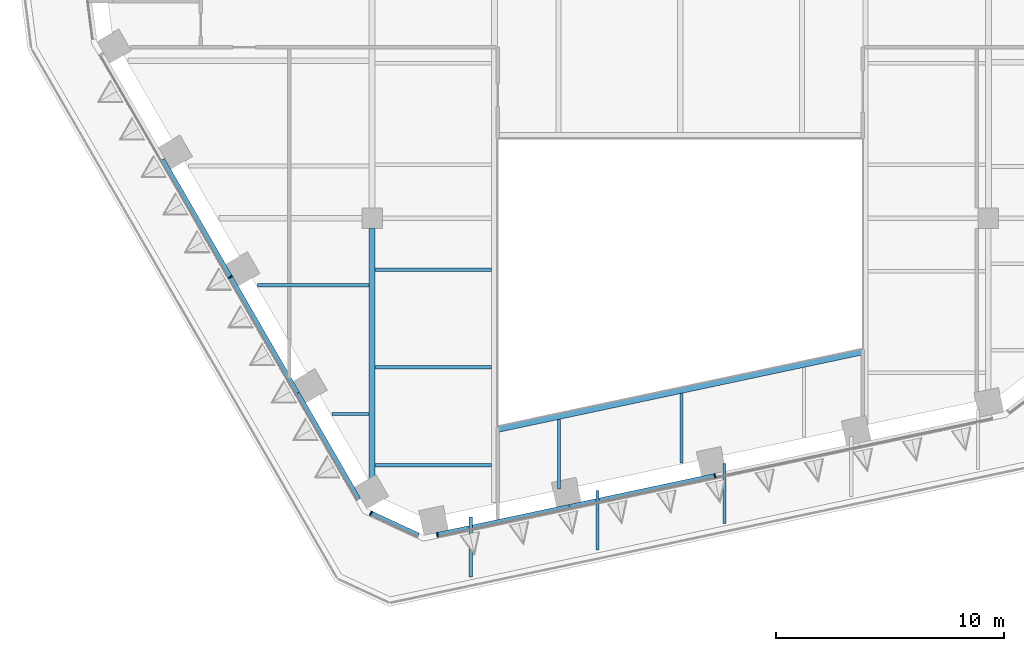
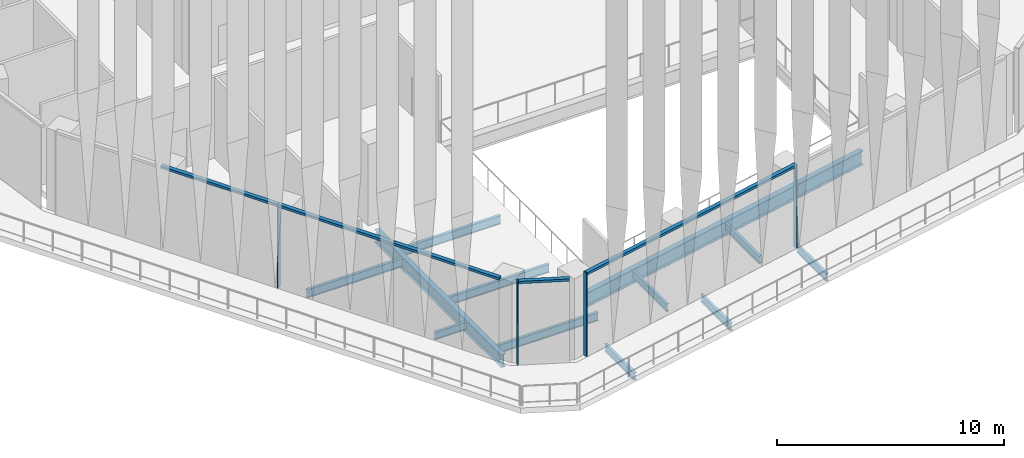
# One storey, part 2 of 21: 12 beams, 10 members, 3 elements without a shape of their own.
"""IFC4 building model written with IfcOpenShell, lengths in metres."""

from ifc_helpers import new_model, si_unit, direction, frame, origin, origin_2d, place, context, subcontext, project, spatial, rectangle, i_section, extrude, material, layer, layer_set, material_profile, profile_set, type_object, element, aggregate, save


model = new_model("IFC4")

# Units and contexts
model_context = context("Model", 3, precision=1e-05, world=origin(), true_north=direction((0.0, 1.0)))
body_context = subcontext(model_context, "Body", "Model", "MODEL_VIEW")
ifc_project = project(units=[si_unit("LENGTHUNIT", "METRE"), si_unit("AREAUNIT", "SQUARE_METRE"), si_unit("VOLUMEUNIT", "CUBIC_METRE"), si_unit("PLANEANGLEUNIT", "RADIAN"), si_unit("MASSUNIT", "GRAM", prefix="KILO")], contexts=[model_context])

# Site, building, storey
site_placement = place(None, origin())
site = spatial("IfcSite", under=ifc_project, at=site_placement, CompositionType="ELEMENT")
building_placement = place(site_placement, origin())
building = spatial("IfcBuilding", under=site, at=building_placement, Name="Isthmus Gate Tower", CompositionType="ELEMENT")
storey_placement = place(building_placement, frame((0.0, 0.0, 211.800048828125)))
storey = spatial("IfcBuildingStorey", under=building, at=storey_placement, Name="L53", CompositionType="ELEMENT", Elevation=211.800048828125)

# Curtain wall, member
ifc_material_1 = material(Name="Aluminium, pale champagne anodised", Category="aluminium")
ifc_layer = layer(ifc_material_1, 0.199951171875)
ifc_layer_set = layer_set([ifc_layer], Name="CW-1 UNITISED CURTAIN WALL 200 DEEP")
curtain_wall_type = type_object("IfcCurtainWallType", Name="CW-1 UNITISED CURTAIN WALL 200 DEEP", PredefinedType="NOTDEFINED", material=ifc_layer_set)
curtain_wall_1_placement = place(storey_placement, origin())
curtain_wall_1 = element("IfcCurtainWall", 1, at=curtain_wall_1_placement, inside=storey, type_object=curtain_wall_type, Name="CW-1 SW L53", PredefinedType="NOTDEFINED")
ifc_material_2 = material(Name="Aluminium, pale champagne anodised", Category="aluminium")
ifc_material_profile_1 = material_profile(ifc_material_2, rectangle(XDim=0.06005859375, YDim=0.199951171875, at=origin_2d()), Name="60x200")
ifc_profile_set_1 = profile_set([ifc_material_profile_1], Name="Aluminium, pale champagne anodised")
member_type_1 = type_object("IfcMemberType", Name="CW-1 MULLION 60 X 200", PredefinedType="MULLION", material=ifc_profile_set_1)
member_1_placement = place(storey_placement, frame((-19.707275390625, -16.066162109375, 0.0), z_axis=(0.0, 0.0, 1.0), x_axis=(0.5, -0.866025403784, 0.0)))
member_1 = element("IfcMember", 2, at=member_1_placement, type_object=member_type_1, Name="CW-1 mullion", PredefinedType="MULLION", context=body_context, shape_type="SweptSolid", body=[
    extrude(rectangle(XDim=0.06005859375, YDim=0.199951171875, at=origin_2d()), origin(), (0.0, 0.0, 1.0), 4.5),
])

curtain_wall_2_placement = place(storey_placement, origin())
curtain_wall_2 = element("IfcCurtainWall", 3, at=curtain_wall_2_placement, inside=storey, type_object=curtain_wall_type, Name="CW-1 SW-S L53", PredefinedType="NOTDEFINED")
member_2_placement = place(storey_placement, frame((-13.54833984375, -26.419677734375, 0.0), z_axis=(0.0, 0.0, 1.0), x_axis=(0.907256261367, -0.420578264073, 0.0)))
member_2 = element("IfcMember", 4, at=member_2_placement, type_object=member_type_1, Name="CW-1 mullion", PredefinedType="MULLION", context=body_context, shape_type="SweptSolid", body=[
    extrude(rectangle(XDim=0.06005859375, YDim=0.199951171875, at=origin_2d()), origin(), (0.0, 0.0, 1.0), 4.5),
])

# Curtain wall, members
curtain_wall_3_placement = place(storey_placement, origin())
curtain_wall_3 = element("IfcCurtainWall", 5, at=curtain_wall_3_placement, inside=storey, type_object=curtain_wall_type, Name="CW-1 S L53", PredefinedType="NOTDEFINED")
member_3_placement = place(storey_placement, frame((-10.6376953125, -27.36328125, 0.0), z_axis=(0.0, 0.0, 1.0), x_axis=(0.978147600734, 0.207911690818, 0.0)))
member_3 = element("IfcMember", 6, at=member_3_placement, type_object=member_type_1, Name="CW-1 mullion", PredefinedType="MULLION", context=body_context, shape_type="SweptSolid", body=[
    extrude(rectangle(XDim=0.06005859375, YDim=0.199951171875, at=origin_2d()), origin(), (0.0, 0.0, 1.0), 4.5),
])
member_4_placement = place(storey_placement, frame((1.5244140625, -24.7783203125, 0.0), z_axis=(0.0, 0.0, 1.0), x_axis=(0.978147600734, 0.207911690818, 0.0)))
member_4 = element("IfcMember", 7, at=member_4_placement, type_object=member_type_1, Name="CW-1 mullion", PredefinedType="MULLION", context=body_context, shape_type="SweptSolid", body=[
    extrude(rectangle(XDim=0.06005859375, YDim=0.199951171875, at=origin_2d()), origin(), (0.0, 0.0, 1.0), 4.5),
])

# Member
ifc_material_3 = material(Name="Aluminium, pale champagne anodised", Category="aluminium")
ifc_material_profile_2 = material_profile(ifc_material_3, rectangle(XDim=0.199951171875, YDim=0.1298828125, at=origin_2d()), Name="200x130")
ifc_profile_set_2 = profile_set([ifc_material_profile_2], Name="Aluminium, pale champagne anodised")
member_type_2 = type_object("IfcMemberType", Name="CW-1 TRANSOM 200 X 130", PredefinedType="USERDEFINED", material=ifc_profile_set_2)
member_5_placement = place(storey_placement, frame((-22.677490234375, -10.92138671875, 4.43505859375), z_axis=(0.500008496284, -0.866020498397, 0.0), x_axis=(0.866020498397, 0.500008496284, 0.0)))
member_5 = element("IfcMember", 8, at=member_5_placement, type_object=member_type_2, Name="CW-1 transom", ObjectType="TRANSOM", PredefinedType="USERDEFINED", context=body_context, shape_type="SweptSolid", body=[
    extrude(rectangle(XDim=0.199951171875, YDim=0.1298828125, at=origin_2d()), origin(), (0.0, 0.0, 1.0), 5.91064453125),
])

member_6_placement = place(storey_placement, frame((-19.692138671875, -16.092041015625, 4.43505859375), z_axis=(0.49998975084, -0.866031321059, 0.0), x_axis=(0.866031321059, 0.49998975084, 0.0)))
member_6 = element("IfcMember", 9, at=member_6_placement, type_object=member_type_2, Name="CW-1 transom", ObjectType="TRANSOM", PredefinedType="USERDEFINED", context=body_context, shape_type="SweptSolid", body=[
    extrude(rectangle(XDim=0.199951171875, YDim=0.1298828125, at=origin_2d()), origin(), (0.0, 0.0, 1.0), 5.8505859375),
])

member_7_placement = place(storey_placement, frame((-16.766845703125, -21.158935546875, 4.43505859375), z_axis=(0.499989227444, -0.866031623233, 0.0), x_axis=(0.866031623233, 0.499989227444, 0.0)))
member_7 = element("IfcMember", 10, at=member_7_placement, type_object=member_type_2, Name="CW-1 transom", ObjectType="TRANSOM", PredefinedType="USERDEFINED", context=body_context, shape_type="SweptSolid", body=[
    extrude(rectangle(XDim=0.199951171875, YDim=0.1298828125, at=origin_2d()), origin(), (0.0, 0.0, 1.0), 5.3603515625),
])

aggregate(curtain_wall_1, [member_5, member_1, member_6, member_7])

member_8_placement = place(storey_placement, frame((-13.521240234375, -26.432373046875, 4.43505859375), z_axis=(0.907246225564, -0.420599912268, 0.0), x_axis=(0.420599912268, 0.907246225564, 0.0)))
member_8 = element("IfcMember", 11, at=member_8_placement, type_object=member_type_2, Name="CW-1 transom", ObjectType="TRANSOM", PredefinedType="USERDEFINED", context=body_context, shape_type="SweptSolid", body=[
    extrude(rectangle(XDim=0.199951171875, YDim=0.1298828125, at=origin_2d()), origin(), (0.0, 0.0, 1.0), 2.258544921875),
])

aggregate(curtain_wall_2, [member_2, member_8])

member_9_placement = place(storey_placement, frame((-10.6083984375, -27.357177734375, 4.43505859375), z_axis=(0.978148511799, 0.207907404549, 0.0), x_axis=(-0.207907404549, 0.978148511799, 0.0)))
member_9 = element("IfcMember", 12, at=member_9_placement, type_object=member_type_2, Name="CW-1 transom", ObjectType="TRANSOM", PredefinedType="USERDEFINED", context=body_context, shape_type="SweptSolid", body=[
    extrude(rectangle(XDim=0.199951171875, YDim=0.1298828125, at=origin_2d()), origin(), (0.0, 0.0, 1.0), 5.8818359375),
])

member_10_placement = place(storey_placement, frame((-4.85498046875, -26.13427734375, 4.43505859375), z_axis=(0.978142886198, 0.207933869729, 0.0), x_axis=(-0.207933869729, 0.978142886198, 0.0)))
member_10 = element("IfcMember", 13, at=member_10_placement, type_object=member_type_2, Name="CW-1 transom", ObjectType="TRANSOM", PredefinedType="USERDEFINED", context=body_context, shape_type="SweptSolid", body=[
    extrude(rectangle(XDim=0.199951171875, YDim=0.1298828125, at=origin_2d()), origin(), (0.0, 0.0, 1.0), 6.49169921875),
])

aggregate(curtain_wall_3, [member_3, member_9, member_10, member_4])

# Beams
ifc_material_4 = material(Name="Structural steel ASTM A992 Gr 50", Category="steel")
ifc_material_profile_3 = material_profile(ifc_material_4, i_section(OverallWidth=0.1396484375, OverallDepth=0.4033203125, WebThickness=0.00634765625, FlangeThickness=0.010986328125, at=origin_2d()), Name="W16X31")
ifc_profile_set_3 = profile_set([ifc_material_profile_3], Name="Structural steel ASTM A992 Gr 50")
beam_type_1 = type_object("IfcBeamType", Name="STEEL FLOOR BEAM W16X31", PredefinedType="JOIST", material=ifc_profile_set_3)
beam_1_placement = place(storey_placement, frame((-15.25146484375, -22.077392578125, -0.501708984375), z_axis=(1.0, 0.0, 0.0), x_axis=(0.0, 1.0, 0.0)))
element("IfcBeam", 14, at=beam_1_placement, inside=storey, type_object=beam_type_1, Name="str-beam-L53-02-00", PredefinedType="JOIST", context=body_context, shape_type="SweptSolid", body=[
    extrude(i_section(OverallWidth=0.1396484375, OverallDepth=0.4033203125, WebThickness=0.00634765625, FlangeThickness=0.010986328125, at=origin_2d()), origin(), (0.0, 0.0, 1.0), 1.62451171875),
])
for number, where, z_axis, x_axis, name in (
    (15, (-5.314208984375, -25.359619140625, -0.501708984375), (0.0, 1.0, 0.0), (-1.0, 0.0, 0.0), "str-beam-L53-06-00"),
    (16, (0.05712890625, -24.2177734375, -0.501708984375), (0.0, 1.0, 0.0), (-1.0, 0.0, 0.0), "str-beam-L53-06-01"),
):
    element("IfcBeam", number, at=place(storey_placement, frame(where, z_axis=z_axis, x_axis=x_axis)), inside=storey, type_object=beam_type_1, Name=name, PredefinedType="JOIST", context=body_context, shape_type="SweptSolid", body=[
        extrude(i_section(OverallWidth=0.1396484375, OverallDepth=0.4033203125, WebThickness=0.00634765625, FlangeThickness=0.010986328125, at=origin_2d()), origin(), (0.0, 0.0, 1.0), 3.046630859375),
    ])
ifc_material_5 = material(Name="Structural steel ASTM A992 Gr 50", Category="steel")
ifc_material_profile_4 = material_profile(ifc_material_5, i_section(OverallWidth=0.15234375, OverallDepth=0.45068359375, WebThickness=0.0078125, FlangeThickness=0.010986328125, at=origin_2d()), Name="W18X35")
ifc_profile_set_4 = profile_set([ifc_material_profile_4], Name="Structural steel ASTM A992 Gr 50")
beam_type_2 = type_object("IfcBeamType", Name="STEEL FLOOR BEAM W18X35", PredefinedType="JOIST", material=ifc_profile_set_4)
beam_2_placement = place(storey_placement, frame((-18.5087890625, -16.435302734375, -0.525390625), z_axis=(1.0, 0.0, 0.0), x_axis=(0.0, 1.0, 0.0)))
element("IfcBeam", 17, at=beam_2_placement, inside=storey, type_object=beam_type_2, Name="str-beam-L53-02-01", PredefinedType="JOIST", context=body_context, shape_type="SweptSolid", body=[
    extrude(i_section(OverallWidth=0.15234375, OverallDepth=0.45068359375, WebThickness=0.0078125, FlangeThickness=0.010986328125, at=origin_2d()), origin(), (0.0, 0.0, 1.0), 4.8818359375),
])
for number, where, z_axis, x_axis, name in (
    (18, (-13.373046875, -24.32177734375, -0.525390625), (1.0, 0.0, 0.0), (0.0, 1.0, 0.0), "str-beam-L53-04-00"),
    (19, (-13.373046875, -20.034912109375, -0.525390625), (1.0, 0.0, 0.0), (0.0, 1.0, 0.0), "str-beam-L53-04-01"),
    (20, (-13.373046875, -15.748046875, -0.525390625), (1.0, 0.0, 0.0), (0.0, 1.0, 0.0), "str-beam-L53-04-02"),
):
    element("IfcBeam", number, at=place(storey_placement, frame(where, z_axis=z_axis, x_axis=x_axis)), inside=storey, type_object=beam_type_2, Name=name, PredefinedType="JOIST", context=body_context, shape_type="SweptSolid", body=[
        extrude(i_section(OverallWidth=0.15234375, OverallDepth=0.45068359375, WebThickness=0.0078125, FlangeThickness=0.010986328125, at=origin_2d()), origin(), (0.0, 0.0, 1.0), 5.109619140625),
    ])
ifc_material_6 = material(Name="Structural steel ASTM A992 Gr 50", Category="steel")
ifc_material_profile_5 = material_profile(ifc_material_6, i_section(OverallWidth=0.25390625, OverallDepth=0.679443359375, WebThickness=0.010986328125, FlangeThickness=0.015869140625, at=origin_2d()), Name="W27X84")
ifc_profile_set_5 = profile_set([ifc_material_profile_5], Name="Structural steel ASTM A992 Gr 50")
beam_type_3 = type_object("IfcBeamType", Name="STEEL GIRDER W27X84", PredefinedType="BEAM", material=ifc_profile_set_5)
beam_3_placement = place(storey_placement, frame((-13.5, -25.11083984375, -0.6396484375), z_axis=(0.0, 1.0, 0.0), x_axis=(-1.0, 0.0, 0.0)))
element("IfcBeam", 21, at=beam_3_placement, inside=storey, type_object=beam_type_3, Name="str-girder-L53-05", PredefinedType="BEAM", context=body_context, shape_type="SweptSolid", body=[
    extrude(i_section(OverallWidth=0.25390625, OverallDepth=0.679443359375, WebThickness=0.010986328125, FlangeThickness=0.015869140625, at=origin_2d()), origin(), (0.0, 0.0, 1.0), 11.160888671875),
])
ifc_material_7 = material(Name="Structural steel ASTM A992 Gr 50", Category="steel")
ifc_material_profile_6 = material_profile(ifc_material_7, i_section(OverallWidth=0.1396484375, OverallDepth=0.4033203125, WebThickness=0.00634765625, FlangeThickness=0.010986328125, at=origin_2d()), Name="W16X31")
ifc_profile_set_6 = profile_set([ifc_material_profile_6], Name="Structural steel ASTM A992 Gr 50")
beam_type_4 = type_object("IfcBeamType", Name="STEEL LEDGE BEAM W16X31", PredefinedType="JOIST", material=ifc_profile_set_6)
for number, where, z_axis, x_axis, name in (
    (22, (-9.17529296875, -29.22314453125, -0.501708984375), (0.0, 1.0, 0.0), (-1.0, 0.0, 0.0), "str-ringbeam-L53-00-06"),
    (23, (-3.618408203125, -28.0419921875, -0.501708984375), (0.0, 1.0, 0.0), (-1.0, 0.0, 0.0), "str-ringbeam-L53-00-08"),
    (24, (1.9384765625, -26.86083984375, -0.501708984375), (0.0, 1.0, 0.0), (-1.0, 0.0, 0.0), "str-ringbeam-L53-00-10"),
):
    element("IfcBeam", number, at=place(storey_placement, frame(where, z_axis=z_axis, x_axis=x_axis)), inside=storey, type_object=beam_type_4, Name=name, PredefinedType="JOIST", context=body_context, shape_type="SweptSolid", body=[
        extrude(i_section(OverallWidth=0.1396484375, OverallDepth=0.4033203125, WebThickness=0.00634765625, FlangeThickness=0.010986328125, at=origin_2d()), origin(), (0.0, 0.0, 1.0), 2.62744140625),
    ])
ifc_material_8 = material(Name="Structural steel ASTM A992 Gr 50", Category="steel")
ifc_material_profile_7 = material_profile(ifc_material_8, i_section(OverallWidth=0.2666015625, OverallDepth=0.7587890625, WebThickness=0.014404296875, FlangeThickness=0.01904296875, at=origin_2d()), Name="W30X108")
ifc_profile_set_7 = profile_set([ifc_material_profile_7], Name="Structural steel ASTM A992 Gr 50")
beam_type_5 = type_object("IfcBeamType", Name="STEEL TRIMMER W30X108", PredefinedType="BEAM", material=ifc_profile_set_7)
beam_4_placement = place(storey_placement, frame((-8.0, -22.747314453125, -0.679443359375), z_axis=(0.978147924985, 0.20791016533, 0.0), x_axis=(-0.20791016533, 0.978147924985, 0.0)))
element("IfcBeam", 25, at=beam_4_placement, inside=storey, type_object=beam_type_5, Name="str-trimmer-L53-03", PredefinedType="BEAM", context=body_context, shape_type="SweptSolid", body=[
    extrude(i_section(OverallWidth=0.2666015625, OverallDepth=0.7587890625, WebThickness=0.014404296875, FlangeThickness=0.01904296875, at=origin_2d()), origin(), (0.0, 0.0, 1.0), 16.357421875),
])

save(model, "model.ifc")
